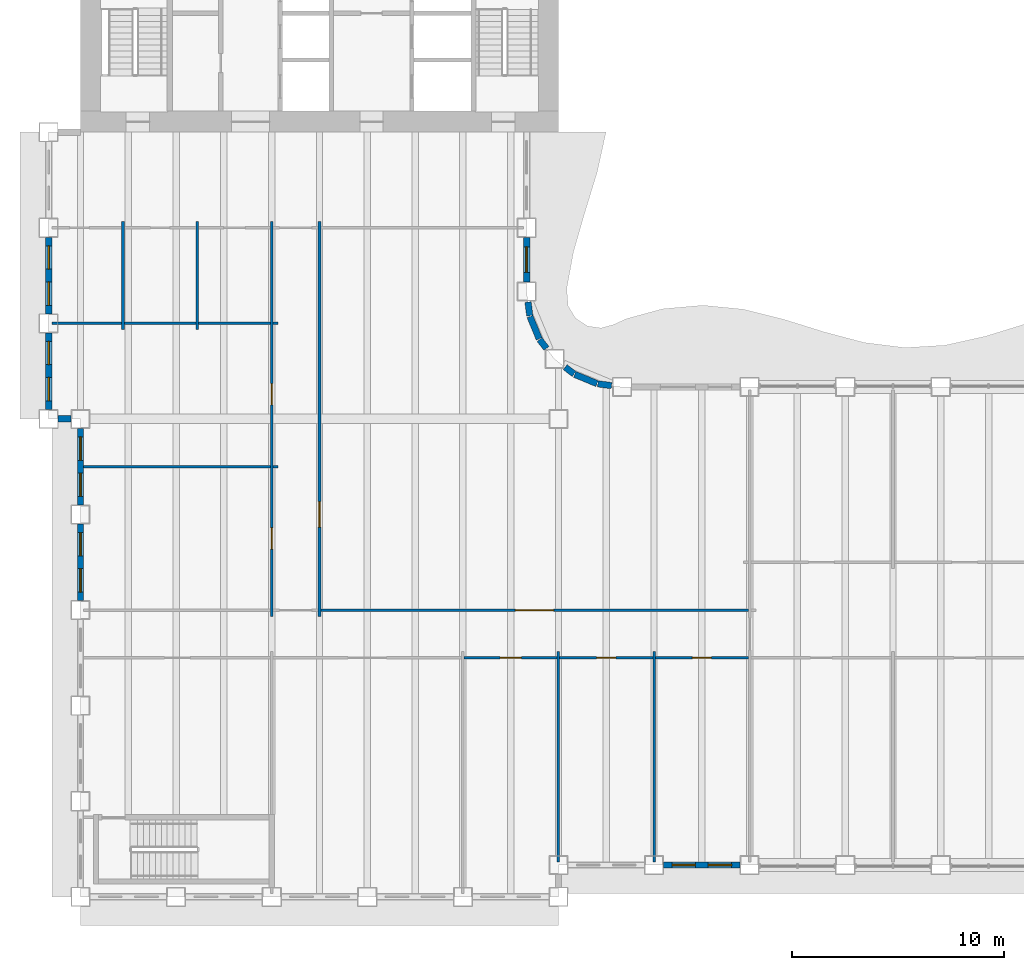
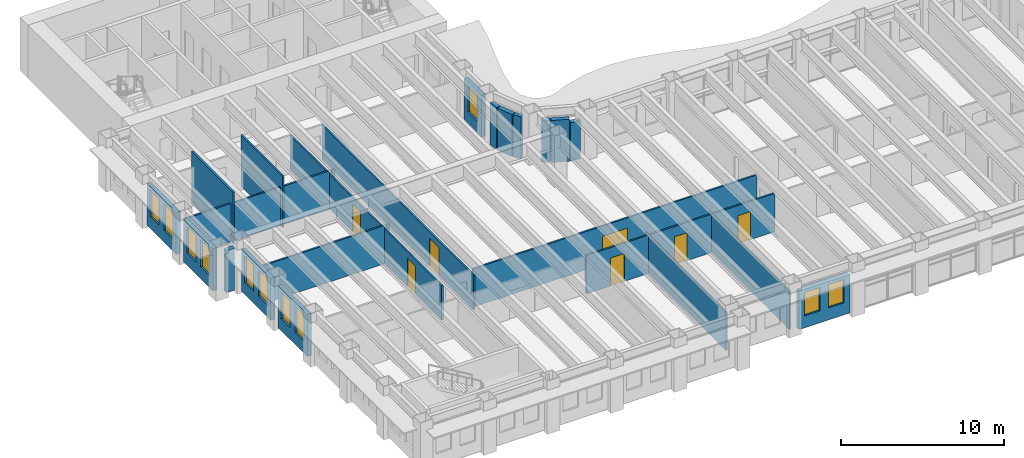
# One storey, part 6 of 17: 29 walls, 11 windows, 7 doors, 18 openings.
"""IFC4 building model written with IfcOpenShell, lengths in metres."""

from ifc_helpers import new_model, si_unit, direction, frame, frame_2d, origin, place, context, subcontext, project, spatial, rectangle, extrude, material, layer, layer_set, type_object, element, fill, save


model = new_model("IFC4")

# Units and contexts
model_context = context("Model", 3, precision=1e-05, world=origin(), true_north=direction((0.0, 1.0)))
body_context = subcontext(model_context, "Body", "Model", "MODEL_VIEW")
ifc_project = project(units=[si_unit("LENGTHUNIT", "METRE"), si_unit("AREAUNIT", "SQUARE_METRE"), si_unit("VOLUMEUNIT", "CUBIC_METRE"), si_unit("PLANEANGLEUNIT", "RADIAN"), si_unit("MASSUNIT", "GRAM", prefix="KILO")], contexts=[model_context])

# Site, building, storey
site_placement = place(None, origin())
site = spatial("IfcSite", under=ifc_project, at=site_placement, CompositionType="ELEMENT")
building_placement = place(site_placement, origin())
building = spatial("IfcBuilding", under=site, at=building_placement, Name="Sennacour Bend Tower", CompositionType="ELEMENT")
storey_placement = place(building_placement, frame((0.0, 0.0, 155.0)))
storey = spatial("IfcBuildingStorey", under=building, at=storey_placement, Name="L35", CompositionType="ELEMENT", Elevation=155.0)

# Walls
ifc_material_1 = material(Name="Plasterboard partition on steel studs", Category="steel")
ifc_layer_1 = layer(ifc_material_1, 0.1201171875, Name="Plasterboard partition on steel studs", Category="steel")
ifc_layer_set_1 = layer_set([ifc_layer_1], Name="Plasterboard partition on steel studs")
wall_type_1 = type_object("IfcWallType", Name="Partition 120", PredefinedType="PARTITIONING", material=ifc_layer_set_1)
for number, where, z_axis, x_axis, name in (
    (1, (2.0, 26.699951171875, 0.0), (0.0, 0.0, 1.0), (0.0, 1.0, 0.0), "P-L35-W004a"),
    (2, (5.5, 26.699951171875, 0.0), (0.0, 0.0, 1.0), (0.0, 1.0, 0.0), "P-L35-W008a"),
):
    element("IfcWall", number, at=place(storey_placement, frame(where, z_axis=z_axis, x_axis=x_axis)), inside=storey, type_object=wall_type_1, Name=name, PredefinedType="PARTITIONING", context=body_context, shape_type="SweptSolid", body=[
        extrude(rectangle(XDim=5.10009765625, YDim=0.1201171875, at=frame_2d((2.550048828125, 0.0))), origin(), (0.0, 0.0, 1.0), 3.85009765625),
    ])

# Wall, openings, doors
wall_1_placement = place(storey_placement, frame((9.0, 13.199951171875, 0.0), z_axis=(0.0, 0.0, 1.0), x_axis=(0.0, 1.0, 0.0)))
wall_1 = element("IfcWall", 3, at=wall_1_placement, inside=storey, type_object=wall_type_1, Name="P-L35-W013a", PredefinedType="PARTITIONING", context=body_context, shape_type="SweptSolid", body=[
    extrude(rectangle(XDim=18.60009765625, YDim=0.1201171875, at=frame_2d((9.300048828125, 0.0))), origin(), (0.0, 0.0, 1.0), 2.60009765625),
])
opening_1_placement = place(wall_1_placement, frame((3.175048828125, 0.0, 0.0)))
opening_1 = element("IfcOpeningElement", 4, at=opening_1_placement, cuts=wall_1, Name="Opening OD2", PredefinedType="OPENING", context=body_context, shape_type="SweptSolid", body=[
    extrude(rectangle(XDim=1.0, YDim=2.10009765625, at=frame_2d((0.5, 1.050048828125))), frame((0.0, 0.070068359375, 0.0), z_axis=(0.0, -1.0, 0.0), x_axis=(1.0, 0.0, 0.0)), (0.0, 0.0, 1.0), 0.14013671875),
])
opening_2_placement = place(wall_1_placement, frame((9.955078125, 0.0, 0.0)))
opening_2 = element("IfcOpeningElement", 5, at=opening_2_placement, cuts=wall_1, Name="Opening OD2", PredefinedType="OPENING", context=body_context, shape_type="SweptSolid", body=[
    extrude(rectangle(XDim=1.0, YDim=2.10009765625, at=frame_2d((0.5, 1.050048828125))), frame((0.0, 0.070068359375, 0.0), z_axis=(0.0, -1.0, 0.0), x_axis=(1.0, 0.0, 0.0)), (0.0, 0.0, 1.0), 0.14013671875),
])
ifc_material_2 = material(Name="Timber", Category="wood")
door_type_1 = type_object("IfcDoorType", Name="DR-OFFICE-1000", OperationType="NOTDEFINED", PredefinedType="DOOR", material=ifc_material_2)
door_1_placement = place(opening_1_placement, origin())
door_1 = element("IfcDoor", 6, at=door_1_placement, inside=storey, type_object=door_type_1, Name="Door", OperationType="SINGLE_SWING_LEFT", OverallHeight=2.10009765625, OverallWidth=1.0, PredefinedType="DOOR", context=body_context, shape_type="SweptSolid", body=[
    extrude(rectangle(XDim=1.0, YDim=2.10009765625, at=frame_2d((0.5, 1.050048828125))), frame((0.0, 0.02490234375, 0.0), z_axis=(0.0, -1.0, 0.0), x_axis=(1.0, 0.0, 0.0)), (0.0, 0.0, 1.0), 0.050048828125),
])
fill(opening_1, door_1)
door_2_placement = place(opening_2_placement, origin())
door_2 = element("IfcDoor", 7, at=door_2_placement, inside=storey, type_object=door_type_1, Name="Door", OperationType="SINGLE_SWING_RIGHT", OverallHeight=2.10009765625, OverallWidth=1.0, PredefinedType="DOOR", context=body_context, shape_type="SweptSolid", body=[
    extrude(rectangle(XDim=1.0, YDim=2.10009765625, at=frame_2d((0.5, 1.050048828125))), frame((0.0, 0.02490234375, 0.0), z_axis=(0.0, -1.0, 0.0), x_axis=(1.0, 0.0, 0.0)), (0.0, 0.0, 1.0), 0.050048828125),
])
fill(opening_2, door_2)

# Wall, opening, door
wall_2_placement = place(storey_placement, frame((11.25, 13.199951171875, 0.0), z_axis=(0.0, 0.0, 1.0), x_axis=(0.0, 1.0, 0.0)))
wall_2 = element("IfcWall", 8, at=wall_2_placement, inside=storey, type_object=wall_type_1, Name="P-L35-W016a", PredefinedType="PARTITIONING", context=body_context, shape_type="SweptSolid", body=[
    extrude(rectangle(XDim=18.60009765625, YDim=0.1201171875, at=frame_2d((9.300048828125, 0.0))), origin(), (0.0, 0.0, 1.0), 2.60009765625),
])
opening_3_placement = place(wall_2_placement, frame((4.199951171875, 0.0, 0.0)))
opening_3 = element("IfcOpeningElement", 9, at=opening_3_placement, cuts=wall_2, Name="Opening OD", PredefinedType="OPENING", context=body_context, shape_type="SweptSolid", body=[
    extrude(rectangle(XDim=1.199951171875, YDim=2.10009765625, at=frame_2d((0.60009765625, 1.050048828125))), frame((0.0, 0.070068359375, 0.0), z_axis=(0.0, -1.0, 0.0), x_axis=(1.0, 0.0, 0.0)), (0.0, 0.0, 1.0), 0.14013671875),
])
door_type_2 = type_object("IfcDoorType", Name="DR-OFFICE-1200", OperationType="NOTDEFINED", PredefinedType="DOOR", material=ifc_material_2)
door_3_placement = place(opening_3_placement, origin())
door_3 = element("IfcDoor", 10, at=door_3_placement, inside=storey, type_object=door_type_2, Name="Door", OperationType="SINGLE_SWING_LEFT", OverallHeight=2.10009765625, OverallWidth=1.199951171875, PredefinedType="DOOR", context=body_context, shape_type="SweptSolid", body=[
    extrude(rectangle(XDim=1.199951171875, YDim=2.10009765625, at=frame_2d((0.60009765625, 1.050048828125))), frame((0.0, 0.02490234375, 0.0), z_axis=(0.0, -1.0, 0.0), x_axis=(1.0, 0.0, 0.0)), (0.0, 0.0, 1.0), 0.050048828125),
])
fill(opening_3, door_3)

# Walls
for number, where, z_axis, x_axis, name in (
    (11, (22.5, 1.64990234375, 0.0), (0.0, 0.0, 1.0), (0.0, 1.0, 0.0), "P-L35-W026a"),
    (12, (27.0, 1.64990234375, 0.0), (0.0, 0.0, 1.0), (0.0, 1.0, 0.0), "P-L35-W027a"),
):
    element("IfcWall", number, at=place(storey_placement, frame(where, z_axis=z_axis, x_axis=x_axis)), inside=storey, type_object=wall_type_1, Name=name, PredefinedType="PARTITIONING", context=body_context, shape_type="SweptSolid", body=[
        extrude(rectangle(XDim=9.900146484375, YDim=0.1201171875, at=frame_2d((4.9501953125, 0.0))), origin(), (0.0, 0.0, 1.0), 2.8701171875),
    ])

# Wall, opening, door
wall_3_placement = place(storey_placement, frame((18.06005859375, 11.25, 0.0), z_axis=(0.0, 0.0, 1.0), x_axis=(1.0, 0.0, 0.0)))
wall_3 = element("IfcWall", 13, at=wall_3_placement, inside=storey, type_object=wall_type_1, Name="P-L35-W060ac", PredefinedType="PARTITIONING", context=body_context, shape_type="SweptSolid", body=[
    extrude(rectangle(XDim=4.3798828125, YDim=0.1201171875, at=frame_2d((2.18994140625, 0.0))), origin(), (0.0, 0.0, 1.0), 2.8701171875),
])
opening_4_placement = place(wall_3_placement, frame((1.68994140625, 0.0, 0.0)))
opening_4 = element("IfcOpeningElement", 14, at=opening_4_placement, cuts=wall_3, Name="Opening MD2", PredefinedType="OPENING", context=body_context, shape_type="SweptSolid", body=[
    extrude(rectangle(XDim=1.0, YDim=2.10009765625, at=frame_2d((0.5, 1.050048828125))), frame((0.0, 0.070068359375, 0.0), z_axis=(0.0, -1.0, 0.0), x_axis=(1.0, 0.0, 0.0)), (0.0, 0.0, 1.0), 0.14013671875),
])
door_type_3 = type_object("IfcDoorType", Name="DR-MEETING-1000", OperationType="NOTDEFINED", PredefinedType="DOOR", material=ifc_material_2)
door_4_placement = place(opening_4_placement, origin())
door_4 = element("IfcDoor", 15, at=door_4_placement, inside=storey, type_object=door_type_3, Name="Door", OperationType="SINGLE_SWING_LEFT", OverallHeight=2.10009765625, OverallWidth=1.0, PredefinedType="DOOR", context=body_context, shape_type="SweptSolid", body=[
    extrude(rectangle(XDim=1.0, YDim=2.10009765625, at=frame_2d((0.5, 1.050048828125))), frame((0.0, 0.02490234375, 0.0), z_axis=(0.0, -1.0, 0.0), x_axis=(1.0, 0.0, 0.0)), (0.0, 0.0, 1.0), 0.050048828125),
])
fill(opening_4, door_4)

wall_4_placement = place(storey_placement, frame((11.31005859375, 13.5, 0.0), z_axis=(0.0, 0.0, 1.0), x_axis=(1.0, 0.0, 0.0)))
wall_4 = element("IfcWall", 16, at=wall_4_placement, inside=storey, type_object=wall_type_1, Name="P-L35-W063ac", PredefinedType="PARTITIONING", context=body_context, shape_type="SweptSolid", body=[
    extrude(rectangle(XDim=20.1298828125, YDim=0.1201171875, at=frame_2d((10.06494140625, 0.0))), origin(), (0.0, 0.0, 1.0), 2.8701171875),
])
opening_5_placement = place(wall_4_placement, frame((9.164794921875, 0.0, 0.0)))
opening_5 = element("IfcOpeningElement", 17, at=opening_5_placement, cuts=wall_4, Name="Opening OD3", PredefinedType="OPENING", context=body_context, shape_type="SweptSolid", body=[
    extrude(rectangle(XDim=1.800048828125, YDim=2.10009765625, at=frame_2d((0.89990234375, 1.050048828125))), frame((0.0, 0.070068359375, 0.0), z_axis=(0.0, -1.0, 0.0), x_axis=(1.0, 0.0, 0.0)), (0.0, 0.0, 1.0), 0.14013671875),
])
door_type_4 = type_object("IfcDoorType", Name="DR-OFFICE-1800", OperationType="NOTDEFINED", PredefinedType="DOOR", material=ifc_material_2)
door_5_placement = place(opening_5_placement, origin())
door_5 = element("IfcDoor", 18, at=door_5_placement, inside=storey, type_object=door_type_4, Name="Door", OperationType="DOUBLE_DOOR_SINGLE_SWING", OverallHeight=2.10009765625, OverallWidth=1.800048828125, PredefinedType="DOOR", context=body_context, shape_type="SweptSolid", body=[
    extrude(rectangle(XDim=1.800048828125, YDim=2.10009765625, at=frame_2d((0.89990234375, 1.050048828125))), frame((0.0, 0.02490234375, 0.0), z_axis=(0.0, -1.0, 0.0), x_axis=(1.0, 0.0, 0.0)), (0.0, 0.0, 1.0), 0.050048828125),
])
fill(opening_5, door_5)

# Walls
wall_5_placement = place(storey_placement, frame((0.14990234375, 20.25, 0.0), z_axis=(0.0, 0.0, 1.0), x_axis=(1.0, 0.0, 0.0)))
element("IfcWall", 19, at=wall_5_placement, inside=storey, type_object=wall_type_1, Name="P-L35-W071aa", PredefinedType="PARTITIONING", context=body_context, shape_type="SweptSolid", body=[
    extrude(rectangle(XDim=8.7900390625, YDim=0.1201171875, at=frame_2d((4.39501953125, 0.0))), origin(), (0.0, 0.0, 1.0), 2.8701171875),
])
wall_6_placement = place(storey_placement, frame((9.06005859375, 20.25, 0.0), z_axis=(0.0, 0.0, 1.0), x_axis=(1.0, 0.0, 0.0)))
element("IfcWall", 20, at=wall_6_placement, inside=storey, type_object=wall_type_1, Name="P-L35-W071ab", PredefinedType="PARTITIONING", context=body_context, shape_type="SweptSolid", body=[
    extrude(rectangle(XDim=0.239990234375, YDim=0.1201171875, at=frame_2d((0.1201171875, 0.0))), origin(), (0.0, 0.0, 1.0), 2.8701171875),
])
wall_7_placement = place(storey_placement, frame((-1.35009765625, 27.0, 0.0), z_axis=(0.0, 0.0, 1.0), x_axis=(1.0, 0.0, 0.0)))
element("IfcWall", 21, at=wall_7_placement, inside=storey, type_object=wall_type_1, Name="P-L35-W073aa", PredefinedType="PARTITIONING", context=body_context, shape_type="SweptSolid", body=[
    extrude(rectangle(XDim=3.2900390625, YDim=0.1201171875, at=frame_2d((1.64501953125, 0.0))), origin(), (0.0, 0.0, 1.0), 2.8701171875),
])
for number, where, z_axis, x_axis, name in (
    (22, (2.06005859375, 27.0, 0.0), (0.0, 0.0, 1.0), (1.0, 0.0, 0.0), "P-L35-W073ab"),
    (23, (5.56005859375, 27.0, 0.0), (0.0, 0.0, 1.0), (1.0, 0.0, 0.0), "P-L35-W073ac"),
):
    element("IfcWall", number, at=place(storey_placement, frame(where, z_axis=z_axis, x_axis=x_axis)), inside=storey, type_object=wall_type_1, Name=name, PredefinedType="PARTITIONING", context=body_context, shape_type="SweptSolid", body=[
        extrude(rectangle(XDim=3.3798828125, YDim=0.1201171875, at=frame_2d((1.68994140625, 0.0))), origin(), (0.0, 0.0, 1.0), 2.8701171875),
    ])
wall_8_placement = place(storey_placement, frame((9.06005859375, 27.0, 0.0), z_axis=(0.0, 0.0, 1.0), x_axis=(1.0, 0.0, 0.0)))
element("IfcWall", 24, at=wall_8_placement, inside=storey, type_object=wall_type_1, Name="P-L35-W073ad", PredefinedType="PARTITIONING", context=body_context, shape_type="SweptSolid", body=[
    extrude(rectangle(XDim=0.239990234375, YDim=0.1201171875, at=frame_2d((0.1201171875, 0.0))), origin(), (0.0, 0.0, 1.0), 2.8701171875),
])

# Wall, opening, door
ifc_layer_2 = layer(ifc_material_1, 0.1201171875, Name="Plasterboard partition on steel studs", Category="steel")
ifc_layer_set_2 = layer_set([ifc_layer_2], Name="Plasterboard partition on steel studs")
wall_type_2 = type_object("IfcWallType", Name="Partition 120 EI 60", PredefinedType="PARTITIONING", material=ifc_layer_set_2)
wall_9_placement = place(storey_placement, frame((22.56005859375, 11.25, 0.0), z_axis=(0.0, 0.0, 1.0), x_axis=(1.0, 0.0, 0.0)))
wall_9 = element("IfcWall", 25, at=wall_9_placement, inside=storey, type_object=wall_type_2, Name="P-L35-W060ad", PredefinedType="PARTITIONING", context=body_context, shape_type="SweptSolid", body=[
    extrude(rectangle(XDim=4.3798828125, YDim=0.1201171875, at=frame_2d((2.18994140625, 0.0))), origin(), (0.0, 0.0, 1.0), 2.8701171875),
])
opening_6_placement = place(wall_9_placement, frame((1.739990234375, 0.0, 0.0)))
opening_6 = element("IfcOpeningElement", 26, at=opening_6_placement, cuts=wall_9, Name="Opening SV", PredefinedType="OPENING", context=body_context, shape_type="SweptSolid", body=[
    extrude(rectangle(XDim=0.89990234375, YDim=2.10009765625, at=frame_2d((0.449951171875, 1.050048828125))), frame((0.0, 0.070068359375, 0.0), z_axis=(0.0, -1.0, 0.0), x_axis=(1.0, 0.0, 0.0)), (0.0, 0.0, 1.0), 0.14013671875),
])
ifc_material_3 = material(Name="Painted steel", Category="steel")
door_type_5 = type_object("IfcDoorType", Name="DR-SERVICE-900", OperationType="NOTDEFINED", PredefinedType="DOOR", material=ifc_material_3)
door_6_placement = place(opening_6_placement, origin())
door_6 = element("IfcDoor", 27, at=door_6_placement, inside=storey, type_object=door_type_5, Name="Door", OperationType="SINGLE_SWING_LEFT", OverallHeight=2.10009765625, OverallWidth=0.89990234375, PredefinedType="DOOR", context=body_context, shape_type="SweptSolid", body=[
    extrude(rectangle(XDim=0.89990234375, YDim=2.10009765625, at=frame_2d((0.449951171875, 1.050048828125))), frame((0.0, 0.02490234375, 0.0), z_axis=(0.0, -1.0, 0.0), x_axis=(1.0, 0.0, 0.0)), (0.0, 0.0, 1.0), 0.050048828125),
])
fill(opening_6, door_6)

wall_10_placement = place(storey_placement, frame((27.06005859375, 11.25, 0.0), z_axis=(0.0, 0.0, 1.0), x_axis=(1.0, 0.0, 0.0)))
wall_10 = element("IfcWall", 28, at=wall_10_placement, inside=storey, type_object=wall_type_2, Name="P-L35-W060ae", PredefinedType="PARTITIONING", context=body_context, shape_type="SweptSolid", body=[
    extrude(rectangle(XDim=4.3798828125, YDim=0.1201171875, at=frame_2d((2.18994140625, 0.0))), origin(), (0.0, 0.0, 1.0), 2.8701171875),
])
opening_7_placement = place(wall_10_placement, frame((1.739990234375, 0.0, 0.0)))
opening_7 = element("IfcOpeningElement", 29, at=opening_7_placement, cuts=wall_10, Name="Opening SV", PredefinedType="OPENING", context=body_context, shape_type="SweptSolid", body=[
    extrude(rectangle(XDim=0.89990234375, YDim=2.10009765625, at=frame_2d((0.449951171875, 1.050048828125))), frame((0.0, 0.070068359375, 0.0), z_axis=(0.0, -1.0, 0.0), x_axis=(1.0, 0.0, 0.0)), (0.0, 0.0, 1.0), 0.14013671875),
])
door_7_placement = place(opening_7_placement, origin())
door_7 = element("IfcDoor", 30, at=door_7_placement, inside=storey, type_object=door_type_5, Name="Door", OperationType="SINGLE_SWING_LEFT", OverallHeight=2.10009765625, OverallWidth=0.89990234375, PredefinedType="DOOR", context=body_context, shape_type="SweptSolid", body=[
    extrude(rectangle(XDim=0.89990234375, YDim=2.10009765625, at=frame_2d((0.449951171875, 1.050048828125))), frame((0.0, 0.02490234375, 0.0), z_axis=(0.0, -1.0, 0.0), x_axis=(1.0, 0.0, 0.0)), (0.0, 0.0, 1.0), 0.050048828125),
])
fill(opening_7, door_7)

# Wall, openings, windows
ifc_material_4 = material(Name="Warm limestone cladding", Category="masonry")
ifc_layer_3 = layer(ifc_material_4, 0.050048828125, Name="Warm limestone cladding", Category="masonry")
ifc_material_5 = material(Name="Precast concrete C40/50", Category="concrete")
ifc_layer_4 = layer(ifc_material_5, 0.25, Name="Precast concrete C40/50", Category="concrete")
ifc_layer_set_3 = layer_set([ifc_layer_3, ifc_layer_4], Name="Precast concrete C40/50 with limestone cladding")
wall_type_3 = type_object("IfcWallType", Name="STONE-CLAD PRECAST SPANDREL 300", PredefinedType="STANDARD", material=ifc_layer_set_3)
wall_11_placement = place(storey_placement, frame((27.449951171875, 1.5, 0.0), z_axis=(0.0, 0.0, 1.0), x_axis=(1.0, 0.0, 0.0)))
wall_11 = element("IfcWall", 31, at=wall_11_placement, inside=storey, type_object=wall_type_3, Name="Stone spandrel and pier wall L35 02.01", PredefinedType="STANDARD", context=body_context, shape_type="SweptSolid", body=[
    extrude(rectangle(XDim=3.60009765625, YDim=0.300048828125, at=frame_2d((1.800048828125, 0.0))), origin(), (0.0, 0.0, 1.0), 2.8701171875),
])
opening_8_placement = place(wall_11_placement, frame((0.39990234375, 0.0, 0.89990234375)))
opening_8 = element("IfcOpeningElement", 32, at=opening_8_placement, cuts=wall_11, Name="Opening W17", PredefinedType="OPENING", context=body_context, shape_type="SweptSolid", body=[
    extrude(rectangle(XDim=1.10009765625, YDim=1.75, at=frame_2d((0.550048828125, 0.875))), frame((0.0, 0.16015625, 0.0), z_axis=(0.0, -1.0, 0.0), x_axis=(1.0, 0.0, 0.0)), (0.0, 0.0, 1.0), 0.320068359375),
])
opening_9_placement = place(wall_11_placement, frame((2.10009765625, 0.0, 0.89990234375)))
opening_9 = element("IfcOpeningElement", 33, at=opening_9_placement, cuts=wall_11, Name="Opening W17", PredefinedType="OPENING", context=body_context, shape_type="SweptSolid", body=[
    extrude(rectangle(XDim=1.10009765625, YDim=1.75, at=frame_2d((0.550048828125, 0.875))), frame((0.0, 0.16015625, 0.0), z_axis=(0.0, -1.0, 0.0), x_axis=(1.0, 0.0, 0.0)), (0.0, 0.0, 1.0), 0.320068359375),
])
ifc_material_6 = material(Name="Clear low-emissivity glass", Category="glass")
window_type_1 = type_object("IfcWindowType", Name="WIN-RIBBON-1100x1750", PartitioningType="SINGLE_PANEL", PredefinedType="WINDOW", material=ifc_material_6)
window_1_placement = place(opening_8_placement, origin())
window_1 = element("IfcWindow", 34, at=window_1_placement, inside=storey, type_object=window_type_1, Name="Ribbon window L35 02.01.0", OverallHeight=1.75, OverallWidth=1.10009765625, PartitioningType="SINGLE_PANEL", PredefinedType="WINDOW", context=body_context, shape_type="SweptSolid", body=[
    extrude(rectangle(XDim=1.10009765625, YDim=1.75, at=frame_2d((0.550048828125, 0.875))), frame((0.0, 0.030029296875, 0.0), z_axis=(0.0, -1.0, 0.0), x_axis=(1.0, 0.0, 0.0)), (0.0, 0.0, 1.0), 0.06005859375),
])
fill(opening_8, window_1)
window_2_placement = place(opening_9_placement, origin())
window_2 = element("IfcWindow", 35, at=window_2_placement, inside=storey, type_object=window_type_1, Name="Ribbon window L35 02.01.1", OverallHeight=1.75, OverallWidth=1.10009765625, PartitioningType="SINGLE_PANEL", PredefinedType="WINDOW", context=body_context, shape_type="SweptSolid", body=[
    extrude(rectangle(XDim=1.10009765625, YDim=1.75, at=frame_2d((0.550048828125, 0.875))), frame((0.0, 0.030029296875, 0.0), z_axis=(0.0, -1.0, 0.0), x_axis=(1.0, 0.0, 0.0)), (0.0, 0.0, 1.0), 0.06005859375),
])
fill(opening_9, window_2)

# Walls
wall_12_placement = place(storey_placement, frame((24.99951171875, 24.06591796875, 0.0), z_axis=(0.0, 0.0, 1.0), x_axis=(-0.991423590996, 0.130687655177, 0.0)))
element("IfcWall", 36, at=wall_12_placement, inside=storey, type_object=wall_type_3, Name="Stone spandrel and pier wall L35 09.00", PredefinedType="STANDARD", context=body_context, shape_type="SweptSolid", body=[
    extrude(rectangle(XDim=0.650146484375, YDim=0.300048828125, at=frame_2d((0.3251953125, 0.0))), origin(), (0.0, 0.0, 1.0), 2.8701171875),
])
wall_13_placement = place(storey_placement, frame((24.317138671875, 24.160888671875, 0.0), z_axis=(0.0, 0.0, 1.0), x_axis=(-0.923914616768, 0.382598720491, 0.0)))
element("IfcWall", 37, at=wall_13_placement, inside=storey, type_object=wall_type_3, Name="Stone spandrel and pier wall L35 10.00", PredefinedType="STANDARD", context=body_context, shape_type="SweptSolid", body=[
    extrude(rectangle(XDim=1.13525390625, YDim=0.300048828125, at=frame_2d((0.567626953125, 0.0))), origin(), (0.0, 0.0, 1.0), 3.14892578125),
])
for number, where, z_axis, x_axis, name in (
    (38, (23.234375, 24.614990234375, 0.0), (0.0, 0.0, 1.0), (-0.793523857856, 0.608539141726, 0.0), "Stone spandrel and pier wall L35 11.00"),
    (39, (21.933837890625, 25.818603515625, 0.0), (0.0, 0.0, 1.0), (-0.608539141726, 0.793523857856, 0.0), "Stone spandrel and pier wall L35 12.00"),
):
    element("IfcWall", number, at=place(storey_placement, frame(where, z_axis=z_axis, x_axis=x_axis)), inside=storey, type_object=wall_type_3, Name=name, PredefinedType="STANDARD", context=body_context, shape_type="SweptSolid", body=[
        extrude(rectangle(XDim=0.52392578125, YDim=0.300048828125, at=frame_2d((0.261962890625, 0.0))), origin(), (0.0, 0.0, 1.0), 3.14892578125),
    ])
wall_14_placement = place(storey_placement, frame((21.59521484375, 26.268310546875, 0.0), z_axis=(0.0, 0.0, 1.0), x_axis=(-0.382598720491, 0.923914616768, 0.0)))
element("IfcWall", 40, at=wall_14_placement, inside=storey, type_object=wall_type_3, Name="Stone spandrel and pier wall L35 13.00", PredefinedType="STANDARD", context=body_context, shape_type="SweptSolid", body=[
    extrude(rectangle(XDim=1.13525390625, YDim=0.300048828125, at=frame_2d((0.567626953125, 0.0))), origin(), (0.0, 0.0, 1.0), 3.14892578125),
])
wall_15_placement = place(storey_placement, frame((21.15087890625, 27.35498046875, 0.0), z_axis=(0.0, 0.0, 1.0), x_axis=(-0.130687655177, 0.991423590996, 0.0)))
element("IfcWall", 41, at=wall_15_placement, inside=storey, type_object=wall_type_3, Name="Stone spandrel and pier wall L35 14.00", PredefinedType="STANDARD", context=body_context, shape_type="SweptSolid", body=[
    extrude(rectangle(XDim=0.650146484375, YDim=0.300048828125, at=frame_2d((0.3251953125, 0.0))), origin(), (0.0, 0.0, 1.0), 3.14892578125),
])

# Wall, opening, window
wall_16_placement = place(storey_placement, frame((21.0, 28.949951171875, 0.0), z_axis=(0.0, 0.0, 1.0), x_axis=(0.0, 1.0, 0.0)))
wall_16 = element("IfcWall", 42, at=wall_16_placement, inside=storey, type_object=wall_type_3, Name="Stone spandrel and pier wall L35 15.00", PredefinedType="STANDARD", context=body_context, shape_type="SweptSolid", body=[
    extrude(rectangle(XDim=2.10009765625, YDim=0.300048828125, at=frame_2d((1.050048828125, 0.0))), origin(), (0.0, 0.0, 1.0), 3.14892578125),
])
opening_10_placement = place(wall_16_placement, frame((0.449951171875, 0.0, 0.89990234375)))
opening_10 = element("IfcOpeningElement", 43, at=opening_10_placement, cuts=wall_16, Name="Opening W14", PredefinedType="OPENING", context=body_context, shape_type="SweptSolid", body=[
    extrude(rectangle(XDim=1.199951171875, YDim=2.0, at=frame_2d((0.60009765625, 1.0))), frame((0.0, 0.16015625, 0.0), z_axis=(0.0, -1.0, 0.0), x_axis=(1.0, 0.0, 0.0)), (0.0, 0.0, 1.0), 0.320068359375),
])
window_type_2 = type_object("IfcWindowType", Name="WIN-RIBBON-1200x2000", PartitioningType="SINGLE_PANEL", PredefinedType="WINDOW", material=ifc_material_6)
window_3_placement = place(opening_10_placement, origin())
window_3 = element("IfcWindow", 44, at=window_3_placement, inside=storey, type_object=window_type_2, Name="Ribbon window L35 15.00", OverallHeight=2.0, OverallWidth=1.199951171875, PartitioningType="SINGLE_PANEL", PredefinedType="WINDOW", context=body_context, shape_type="SweptSolid", body=[
    extrude(rectangle(XDim=1.199951171875, YDim=2.0, at=frame_2d((0.60009765625, 1.0))), frame((0.0, 0.030029296875, 0.0), z_axis=(0.0, -1.0, 0.0), x_axis=(1.0, 0.0, 0.0)), (0.0, 0.0, 1.0), 0.06005859375),
])
fill(opening_10, window_3)

# Wall, openings, windows
wall_17_placement = place(storey_placement, frame((-1.5, 31.050048828125, 0.0), z_axis=(0.0, 0.0, 1.0), x_axis=(0.0, -1.0, 0.0)))
wall_17 = element("IfcWall", 45, at=wall_17_placement, inside=storey, type_object=wall_type_3, Name="Stone spandrel and pier wall L35 21.01", PredefinedType="STANDARD", context=body_context, shape_type="SweptSolid", body=[
    extrude(rectangle(XDim=3.60009765625, YDim=0.300048828125, at=frame_2d((1.800048828125, 0.0))), origin(), (0.0, 0.0, 1.0), 3.14892578125),
])
opening_11_placement = place(wall_17_placement, frame((0.39990234375, 0.0, 0.89990234375)))
opening_11 = element("IfcOpeningElement", 46, at=opening_11_placement, cuts=wall_17, Name="Opening W19", PredefinedType="OPENING", context=body_context, shape_type="SweptSolid", body=[
    extrude(rectangle(XDim=1.10009765625, YDim=2.0, at=frame_2d((0.550048828125, 1.0))), frame((0.0, 0.16015625, 0.0), z_axis=(0.0, -1.0, 0.0), x_axis=(1.0, 0.0, 0.0)), (0.0, 0.0, 1.0), 0.320068359375),
])
opening_12_placement = place(wall_17_placement, frame((2.10009765625, 0.0, 0.89990234375)))
opening_12 = element("IfcOpeningElement", 47, at=opening_12_placement, cuts=wall_17, Name="Opening W19", PredefinedType="OPENING", context=body_context, shape_type="SweptSolid", body=[
    extrude(rectangle(XDim=1.10009765625, YDim=2.0, at=frame_2d((0.550048828125, 1.0))), frame((0.0, 0.16015625, 0.0), z_axis=(0.0, -1.0, 0.0), x_axis=(1.0, 0.0, 0.0)), (0.0, 0.0, 1.0), 0.320068359375),
])
window_type_3 = type_object("IfcWindowType", Name="WIN-RIBBON-1100x2000", PartitioningType="SINGLE_PANEL", PredefinedType="WINDOW", material=ifc_material_6)
window_4_placement = place(opening_11_placement, origin())
window_4 = element("IfcWindow", 48, at=window_4_placement, inside=storey, type_object=window_type_3, Name="Ribbon window L35 21.01.0", OverallHeight=2.0, OverallWidth=1.10009765625, PartitioningType="SINGLE_PANEL", PredefinedType="WINDOW", context=body_context, shape_type="SweptSolid", body=[
    extrude(rectangle(XDim=1.10009765625, YDim=2.0, at=frame_2d((0.550048828125, 1.0))), frame((0.0, 0.030029296875, 0.0), z_axis=(0.0, -1.0, 0.0), x_axis=(1.0, 0.0, 0.0)), (0.0, 0.0, 1.0), 0.06005859375),
])
fill(opening_11, window_4)
window_5_placement = place(opening_12_placement, origin())
window_5 = element("IfcWindow", 49, at=window_5_placement, inside=storey, type_object=window_type_3, Name="Ribbon window L35 21.01.1", OverallHeight=2.0, OverallWidth=1.10009765625, PartitioningType="SINGLE_PANEL", PredefinedType="WINDOW", context=body_context, shape_type="SweptSolid", body=[
    extrude(rectangle(XDim=1.10009765625, YDim=2.0, at=frame_2d((0.550048828125, 1.0))), frame((0.0, 0.030029296875, 0.0), z_axis=(0.0, -1.0, 0.0), x_axis=(1.0, 0.0, 0.0)), (0.0, 0.0, 1.0), 0.06005859375),
])
fill(opening_12, window_5)

wall_18_placement = place(storey_placement, frame((-1.5, 26.550048828125, 0.0), z_axis=(0.0, 0.0, 1.0), x_axis=(0.0, -1.0, 0.0)))
wall_18 = element("IfcWall", 50, at=wall_18_placement, inside=storey, type_object=wall_type_3, Name="Stone spandrel and pier wall L35 21.02", PredefinedType="STANDARD", context=body_context, shape_type="SweptSolid", body=[
    extrude(rectangle(XDim=3.60009765625, YDim=0.300048828125, at=frame_2d((1.800048828125, 0.0))), origin(), (0.0, 0.0, 1.0), 3.14892578125),
])
opening_13_placement = place(wall_18_placement, frame((0.39990234375, 0.0, 0.89990234375)))
opening_13 = element("IfcOpeningElement", 51, at=opening_13_placement, cuts=wall_18, Name="Opening W19", PredefinedType="OPENING", context=body_context, shape_type="SweptSolid", body=[
    extrude(rectangle(XDim=1.10009765625, YDim=2.0, at=frame_2d((0.550048828125, 1.0))), frame((0.0, 0.16015625, 0.0), z_axis=(0.0, -1.0, 0.0), x_axis=(1.0, 0.0, 0.0)), (0.0, 0.0, 1.0), 0.320068359375),
])
opening_14_placement = place(wall_18_placement, frame((2.10009765625, 0.0, 0.89990234375)))
opening_14 = element("IfcOpeningElement", 52, at=opening_14_placement, cuts=wall_18, Name="Opening W19", PredefinedType="OPENING", context=body_context, shape_type="SweptSolid", body=[
    extrude(rectangle(XDim=1.10009765625, YDim=2.0, at=frame_2d((0.550048828125, 1.0))), frame((0.0, 0.16015625, 0.0), z_axis=(0.0, -1.0, 0.0), x_axis=(1.0, 0.0, 0.0)), (0.0, 0.0, 1.0), 0.320068359375),
])
window_6_placement = place(opening_13_placement, origin())
window_6 = element("IfcWindow", 53, at=window_6_placement, inside=storey, type_object=window_type_3, Name="Ribbon window L35 21.02.0", OverallHeight=2.0, OverallWidth=1.10009765625, PartitioningType="SINGLE_PANEL", PredefinedType="WINDOW", context=body_context, shape_type="SweptSolid", body=[
    extrude(rectangle(XDim=1.10009765625, YDim=2.0, at=frame_2d((0.550048828125, 1.0))), frame((0.0, 0.030029296875, 0.0), z_axis=(0.0, -1.0, 0.0), x_axis=(1.0, 0.0, 0.0)), (0.0, 0.0, 1.0), 0.06005859375),
])
fill(opening_13, window_6)
window_7_placement = place(opening_14_placement, origin())
window_7 = element("IfcWindow", 54, at=window_7_placement, inside=storey, type_object=window_type_3, Name="Ribbon window L35 21.02.1", OverallHeight=2.0, OverallWidth=1.10009765625, PartitioningType="SINGLE_PANEL", PredefinedType="WINDOW", context=body_context, shape_type="SweptSolid", body=[
    extrude(rectangle(XDim=1.10009765625, YDim=2.0, at=frame_2d((0.550048828125, 1.0))), frame((0.0, 0.030029296875, 0.0), z_axis=(0.0, -1.0, 0.0), x_axis=(1.0, 0.0, 0.0)), (0.0, 0.0, 1.0), 0.06005859375),
])
fill(opening_14, window_7)

# Wall
wall_19_placement = place(storey_placement, frame((-1.050048828125, 22.5, 0.0), z_axis=(0.0, 0.0, 1.0), x_axis=(1.0, 0.0, 0.0)))
element("IfcWall", 55, at=wall_19_placement, inside=storey, type_object=wall_type_3, Name="Stone spandrel and pier wall L35 22.00", PredefinedType="STANDARD", context=body_context, shape_type="SweptSolid", body=[
    extrude(rectangle(XDim=0.60009765625, YDim=0.300048828125, at=frame_2d((0.300048828125, 0.0))), origin(), (0.0, 0.0, 1.0), 3.14892578125),
])

# Wall, openings, windows
wall_20_placement = place(storey_placement, frame((0.0, 22.050048828125, 0.0), z_axis=(0.0, 0.0, 1.0), x_axis=(0.0, -1.0, 0.0)))
wall_20 = element("IfcWall", 56, at=wall_20_placement, inside=storey, type_object=wall_type_3, Name="Stone spandrel and pier wall L35 23.00", PredefinedType="STANDARD", context=body_context, shape_type="SweptSolid", body=[
    extrude(rectangle(XDim=3.60009765625, YDim=0.300048828125, at=frame_2d((1.800048828125, 0.0))), origin(), (0.0, 0.0, 1.0), 3.14892578125),
])
opening_15_placement = place(wall_20_placement, frame((0.39990234375, 0.0, 0.89990234375)))
opening_15 = element("IfcOpeningElement", 57, at=opening_15_placement, cuts=wall_20, Name="Opening W19", PredefinedType="OPENING", context=body_context, shape_type="SweptSolid", body=[
    extrude(rectangle(XDim=1.10009765625, YDim=2.0, at=frame_2d((0.550048828125, 1.0))), frame((0.0, 0.16015625, 0.0), z_axis=(0.0, -1.0, 0.0), x_axis=(1.0, 0.0, 0.0)), (0.0, 0.0, 1.0), 0.320068359375),
])
opening_16_placement = place(wall_20_placement, frame((2.10009765625, 0.0, 0.89990234375)))
opening_16 = element("IfcOpeningElement", 58, at=opening_16_placement, cuts=wall_20, Name="Opening W19", PredefinedType="OPENING", context=body_context, shape_type="SweptSolid", body=[
    extrude(rectangle(XDim=1.10009765625, YDim=2.0, at=frame_2d((0.550048828125, 1.0))), frame((0.0, 0.16015625, 0.0), z_axis=(0.0, -1.0, 0.0), x_axis=(1.0, 0.0, 0.0)), (0.0, 0.0, 1.0), 0.320068359375),
])
window_8_placement = place(opening_15_placement, origin())
window_8 = element("IfcWindow", 59, at=window_8_placement, inside=storey, type_object=window_type_3, Name="Ribbon window L35 23.00.0", OverallHeight=2.0, OverallWidth=1.10009765625, PartitioningType="SINGLE_PANEL", PredefinedType="WINDOW", context=body_context, shape_type="SweptSolid", body=[
    extrude(rectangle(XDim=1.10009765625, YDim=2.0, at=frame_2d((0.550048828125, 1.0))), frame((0.0, 0.030029296875, 0.0), z_axis=(0.0, -1.0, 0.0), x_axis=(1.0, 0.0, 0.0)), (0.0, 0.0, 1.0), 0.06005859375),
])
fill(opening_15, window_8)
window_9_placement = place(opening_16_placement, origin())
window_9 = element("IfcWindow", 60, at=window_9_placement, inside=storey, type_object=window_type_3, Name="Ribbon window L35 23.00.1", OverallHeight=2.0, OverallWidth=1.10009765625, PartitioningType="SINGLE_PANEL", PredefinedType="WINDOW", context=body_context, shape_type="SweptSolid", body=[
    extrude(rectangle(XDim=1.10009765625, YDim=2.0, at=frame_2d((0.550048828125, 1.0))), frame((0.0, 0.030029296875, 0.0), z_axis=(0.0, -1.0, 0.0), x_axis=(1.0, 0.0, 0.0)), (0.0, 0.0, 1.0), 0.06005859375),
])
fill(opening_16, window_9)

wall_21_placement = place(storey_placement, frame((0.0, 17.550048828125, 0.0), z_axis=(0.0, 0.0, 1.0), x_axis=(0.0, -1.0, 0.0)))
wall_21 = element("IfcWall", 61, at=wall_21_placement, inside=storey, type_object=wall_type_3, Name="Stone spandrel and pier wall L35 23.01", PredefinedType="STANDARD", context=body_context, shape_type="SweptSolid", body=[
    extrude(rectangle(XDim=3.60009765625, YDim=0.300048828125, at=frame_2d((1.800048828125, 0.0))), origin(), (0.0, 0.0, 1.0), 3.14892578125),
])
opening_17_placement = place(wall_21_placement, frame((0.39990234375, 0.0, 0.89990234375)))
opening_17 = element("IfcOpeningElement", 62, at=opening_17_placement, cuts=wall_21, Name="Opening W19", PredefinedType="OPENING", context=body_context, shape_type="SweptSolid", body=[
    extrude(rectangle(XDim=1.10009765625, YDim=2.0, at=frame_2d((0.550048828125, 1.0))), frame((0.0, 0.16015625, 0.0), z_axis=(0.0, -1.0, 0.0), x_axis=(1.0, 0.0, 0.0)), (0.0, 0.0, 1.0), 0.320068359375),
])
opening_18_placement = place(wall_21_placement, frame((2.10009765625, 0.0, 0.89990234375)))
opening_18 = element("IfcOpeningElement", 63, at=opening_18_placement, cuts=wall_21, Name="Opening W19", PredefinedType="OPENING", context=body_context, shape_type="SweptSolid", body=[
    extrude(rectangle(XDim=1.10009765625, YDim=2.0, at=frame_2d((0.550048828125, 1.0))), frame((0.0, 0.16015625, 0.0), z_axis=(0.0, -1.0, 0.0), x_axis=(1.0, 0.0, 0.0)), (0.0, 0.0, 1.0), 0.320068359375),
])
window_10_placement = place(opening_17_placement, origin())
window_10 = element("IfcWindow", 64, at=window_10_placement, inside=storey, type_object=window_type_3, Name="Ribbon window L35 23.01.0", OverallHeight=2.0, OverallWidth=1.10009765625, PartitioningType="SINGLE_PANEL", PredefinedType="WINDOW", context=body_context, shape_type="SweptSolid", body=[
    extrude(rectangle(XDim=1.10009765625, YDim=2.0, at=frame_2d((0.550048828125, 1.0))), frame((0.0, 0.030029296875, 0.0), z_axis=(0.0, -1.0, 0.0), x_axis=(1.0, 0.0, 0.0)), (0.0, 0.0, 1.0), 0.06005859375),
])
fill(opening_17, window_10)
window_11_placement = place(opening_18_placement, origin())
window_11 = element("IfcWindow", 65, at=window_11_placement, inside=storey, type_object=window_type_3, Name="Ribbon window L35 23.01.1", OverallHeight=2.0, OverallWidth=1.10009765625, PartitioningType="SINGLE_PANEL", PredefinedType="WINDOW", context=body_context, shape_type="SweptSolid", body=[
    extrude(rectangle(XDim=1.10009765625, YDim=2.0, at=frame_2d((0.550048828125, 1.0))), frame((0.0, 0.030029296875, 0.0), z_axis=(0.0, -1.0, 0.0), x_axis=(1.0, 0.0, 0.0)), (0.0, 0.0, 1.0), 0.06005859375),
])
fill(opening_18, window_11)

save(model, "model.ifc")
